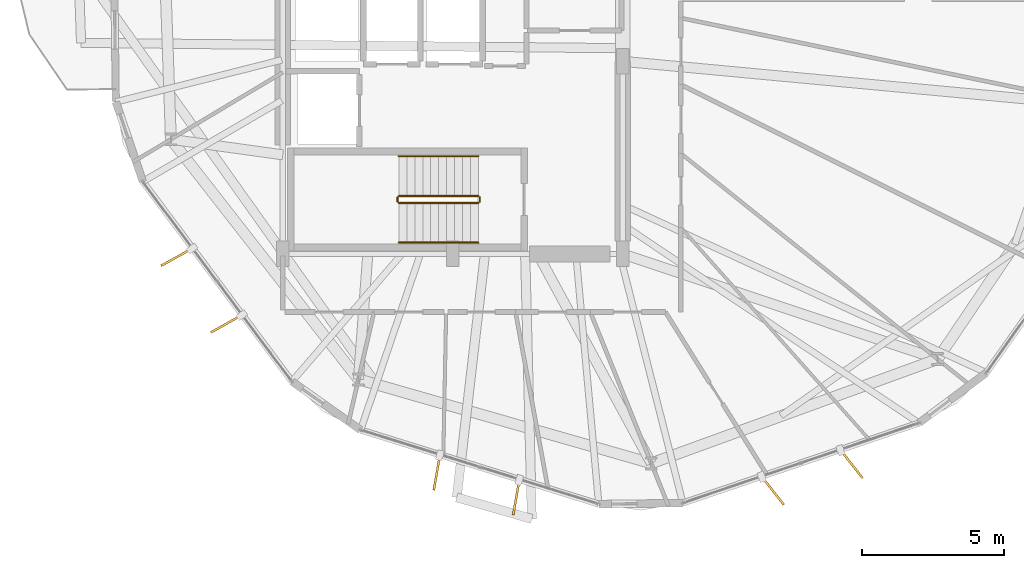
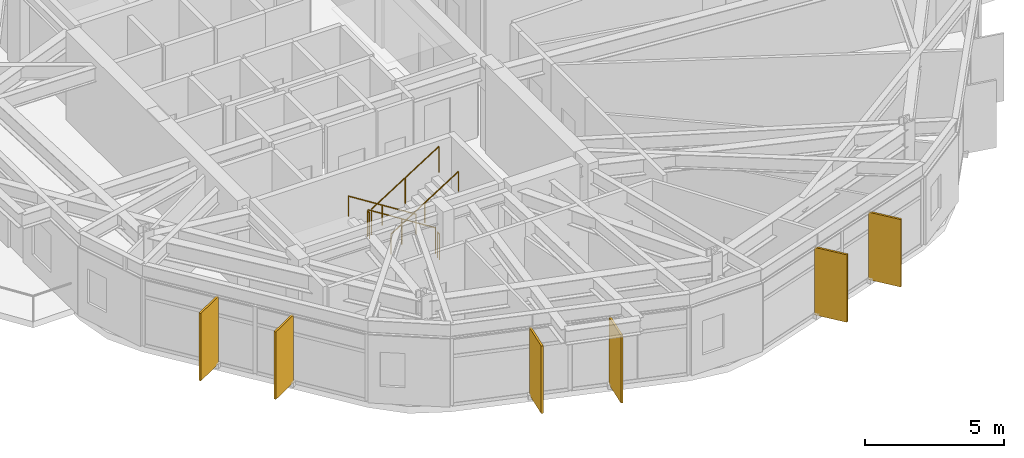
# One storey, part 23 of 25: 6 railings, 6 shading devices.
"""IFC4 building model written with IfcOpenShell, lengths in metres."""

from ifc_helpers import new_model, si_unit, direction, frame, origin, origin_2d, place, context, subcontext, project, spatial, rectangle, circle, extrude, material, layer, layer_set, type_object, element, save


model = new_model("IFC4")

# Units and contexts
model_context = context("Model", 3, precision=1e-05, world=origin(), true_north=direction((0.0, 1.0)))
body_context = subcontext(model_context, "Body", "Model", "MODEL_VIEW")
ifc_project = project(units=[si_unit("LENGTHUNIT", "METRE"), si_unit("AREAUNIT", "SQUARE_METRE"), si_unit("VOLUMEUNIT", "CUBIC_METRE"), si_unit("PLANEANGLEUNIT", "RADIAN"), si_unit("MASSUNIT", "GRAM", prefix="KILO")], contexts=[model_context])

# Site, building, storey
site_placement = place(None, origin())
site = spatial("IfcSite", under=ifc_project, at=site_placement, CompositionType="ELEMENT")
building_placement = place(site_placement, origin())
building = spatial("IfcBuilding", under=site, at=building_placement, Name="Soratama Intermodal Tower", CompositionType="ELEMENT")
storey_placement = place(building_placement, frame((0.0, 0.0, 106.89990234375)))
storey = spatial("IfcBuildingStorey", under=building, at=storey_placement, Name="L25", CompositionType="ELEMENT", Elevation=106.89990234375)

# Railings
ifc_material_1 = material(Name="Painted steel stair guardrail", Category="steel")
railing_type_1 = type_object("IfcRailingType", Name="RL-STAIR-GUARD", PredefinedType="GUARDRAIL", material=ifc_material_1)
railing_1_placement = place(storey_placement, frame((39.5, 17.050048828125, 0.177490234375)))
element("IfcRailing", 1, at=railing_1_placement, inside=storey, type_object=railing_type_1, Name="L25 ST-1 stair guard 1", PredefinedType="GUARDRAIL", context=body_context, shape_type="SweptSolid", body=[
    extrude(circle(Radius=0.02392578125, at=origin_2d()), frame((0.0, 0.0, 1.1259765625), z_axis=(-0.844908973607, 0.0, 0.534910110503), x_axis=(0.0, -1.0, 0.0)), (0.0, 0.0, 1.0), 3.31396484375),
    extrude(circle(Radius=0.02099609375, at=origin_2d()), origin(), (0.0, 0.0, 1.0), 1.101806640625),
    extrude(circle(Radius=0.02099609375, at=origin_2d()), frame((-1.39990234375, 0.0, 0.88623046875)), (0.0, 0.0, 1.0), 1.101806640625),
    extrude(circle(Radius=0.02099609375, at=origin_2d()), frame((-2.800048828125, 0.0, 1.772705078125)), (0.0, 0.0, 1.0), 1.101806640625),
])
railing_2_placement = place(storey_placement, frame((36.64990234375, 17.0, 1.9501953125)))
element("IfcRailing", 2, at=railing_2_placement, inside=storey, type_object=railing_type_1, Name="L25 ST-1 stair guard 2", PredefinedType="GUARDRAIL", context=body_context, shape_type="SweptSolid", body=[
    extrude(circle(Radius=0.02392578125, at=origin_2d()), frame((0.0, 0.0, 1.1259765625), z_axis=(0.0, -1.0, 0.0), x_axis=(1.0, 0.0, 0.0)), (0.0, 0.0, 1.0), 0.14990234375),
    extrude(circle(Radius=0.02099609375, at=origin_2d()), origin(), (0.0, 0.0, 1.0), 1.101806640625),
    extrude(circle(Radius=0.02099609375, at=origin_2d()), frame((0.0, -0.14990234375, 0.0)), (0.0, 0.0, 1.0), 1.101806640625),
])
railing_3_placement = place(storey_placement, frame((36.699951171875, 16.800048828125, 2.12744140625)))
element("IfcRailing", 3, at=railing_3_placement, inside=storey, type_object=railing_type_1, Name="L25 ST-1 stair guard 3", PredefinedType="GUARDRAIL", context=body_context, shape_type="SweptSolid", body=[
    extrude(circle(Radius=0.02392578125, at=origin_2d()), frame((0.0, 0.0, 1.1259765625), z_axis=(0.844908973607, 0.0, 0.534910110503), x_axis=(0.0, 1.0, 0.0)), (0.0, 0.0, 1.0), 3.31396484375),
    extrude(circle(Radius=0.02099609375, at=origin_2d()), origin(), (0.0, 0.0, 1.0), 1.101806640625),
    extrude(circle(Radius=0.02099609375, at=origin_2d()), frame((1.39990234375, 0.0, 0.88623046875)), (0.0, 0.0, 1.0), 1.101806640625),
    extrude(circle(Radius=0.02099609375, at=origin_2d()), frame((2.800048828125, 0.0, 1.772705078125)), (0.0, 0.0, 1.0), 1.101806640625),
])
railing_4_placement = place(storey_placement, frame((39.550048828125, 17.0, 0.0)))
element("IfcRailing", 4, at=railing_4_placement, inside=storey, type_object=railing_type_1, Name="L25 ST-1 stair guard 4", PredefinedType="GUARDRAIL", context=body_context, shape_type="SweptSolid", body=[
    extrude(circle(Radius=0.02392578125, at=origin_2d()), frame((0.0, 0.0, 1.1259765625), z_axis=(0.0, -1.0, 0.0), x_axis=(1.0, 0.0, 0.0)), (0.0, 0.0, 1.0), 0.14990234375),
    extrude(circle(Radius=0.02099609375, at=origin_2d()), origin(), (0.0, 0.0, 1.0), 1.101806640625),
    extrude(circle(Radius=0.02099609375, at=origin_2d()), frame((0.0, -0.14990234375, 0.0)), (0.0, 0.0, 1.0), 1.101806640625),
])
ifc_material_2 = material(Name="Brushed stainless steel handrail", Category="steel")
railing_type_2 = type_object("IfcRailingType", Name="RL-STAIR-HAND", PredefinedType="HANDRAIL", material=ifc_material_2)
railing_5_placement = place(storey_placement, frame((39.5, 18.449951171875, 0.177490234375)))
element("IfcRailing", 5, at=railing_5_placement, inside=storey, type_object=railing_type_2, Name="L25 ST-1 stair handrail 1", PredefinedType="HANDRAIL", context=body_context, shape_type="SweptSolid", body=[
    extrude(circle(Radius=0.02392578125, at=origin_2d()), frame((0.0, 0.0, 0.8759765625), z_axis=(-0.844908973607, 0.0, 0.534910110503), x_axis=(0.0, -1.0, 0.0)), (0.0, 0.0, 1.0), 3.31396484375),
    extrude(circle(Radius=0.02099609375, at=origin_2d()), origin(), (0.0, 0.0, 1.0), 0.851806640625),
    extrude(circle(Radius=0.02099609375, at=origin_2d()), frame((-1.39990234375, 0.0, 0.88623046875)), (0.0, 0.0, 1.0), 0.851806640625),
    extrude(circle(Radius=0.02099609375, at=origin_2d()), frame((-2.800048828125, 0.0, 1.772705078125)), (0.0, 0.0, 1.0), 0.851806640625),
])
railing_6_placement = place(storey_placement, frame((36.699951171875, 15.39990234375, 2.12744140625)))
element("IfcRailing", 6, at=railing_6_placement, inside=storey, type_object=railing_type_2, Name="L25 ST-1 stair handrail 2", PredefinedType="HANDRAIL", context=body_context, shape_type="SweptSolid", body=[
    extrude(circle(Radius=0.02392578125, at=origin_2d()), frame((0.0, 0.0, 0.8759765625), z_axis=(0.844908973607, 0.0, 0.534910110503), x_axis=(0.0, 1.0, 0.0)), (0.0, 0.0, 1.0), 3.31396484375),
    extrude(circle(Radius=0.02099609375, at=origin_2d()), origin(), (0.0, 0.0, 1.0), 0.851806640625),
    extrude(circle(Radius=0.02099609375, at=origin_2d()), frame((1.39990234375, 0.0, 0.88623046875)), (0.0, 0.0, 1.0), 0.851806640625),
    extrude(circle(Radius=0.02099609375, at=origin_2d()), frame((2.800048828125, 0.0, 1.772705078125)), (0.0, 0.0, 1.0), 0.851806640625),
])

# Shading devices
ifc_material_3 = material(Name="Champagne anodised aluminium solar fin", Category="aluminium")
ifc_layer = layer(ifc_material_3, 0.080078125)
ifc_layer_set = layer_set([ifc_layer], Name="Champagne anodised aluminium solar fin")
shading_device_type = type_object("IfcShadingDeviceType", Name="SH-FIN-1250", PredefinedType="USERDEFINED", material=ifc_layer_set)
for number, where, z_axis, x_axis, name in (
    (7, (28.849609375, 14.88818359375, 0.02001953125), (0.0, 0.0, 1.0), (-0.872069272432, -0.489382451749, 0.0), "L25 Solar Fin F06-1"),
    (8, (30.604736328125, 12.53515625, 0.02001953125), (0.0, 0.0, 1.0), (-0.872069272432, -0.489382451749, 0.0), "L25 Solar Fin F06-2"),
    (9, (38.036865234375, 7.277099609375, 0.02001953125), (0.0, 0.0, 1.0), (-0.171241322388, -0.985229115235, 0.0), "L25 Solar Fin F07-1"),
    (10, (40.83984375, 6.405029296875, 0.02001953125), (0.0, 0.0, 1.0), (-0.171241322388, -0.985229115235, 0.0), "L25 Solar Fin F07-2"),
    (11, (49.898193359375, 6.640625, 0.02001953125), (0.0, 0.0, 1.0), (0.617585109014, -0.78650405792, 0.0), "L25 Solar Fin F08-1"),
    (12, (52.67822265625, 7.582763671875, 0.02001953125), (0.0, 0.0, 1.0), (0.617585109014, -0.78650405792, 0.0), "L25 Solar Fin F08-2"),
):
    element("IfcShadingDevice", number, at=place(storey_placement, frame(where, z_axis=z_axis, x_axis=x_axis)), inside=storey, type_object=shading_device_type, Name=name, ObjectType="FIN", PredefinedType="USERDEFINED", context=body_context, shape_type="SweptSolid", body=[
        extrude(rectangle(XDim=1.25, YDim=0.080078125, at=origin_2d()), origin(), (0.0, 0.0, 1.0), 2.958984375),
    ])

save(model, "model.ifc")
